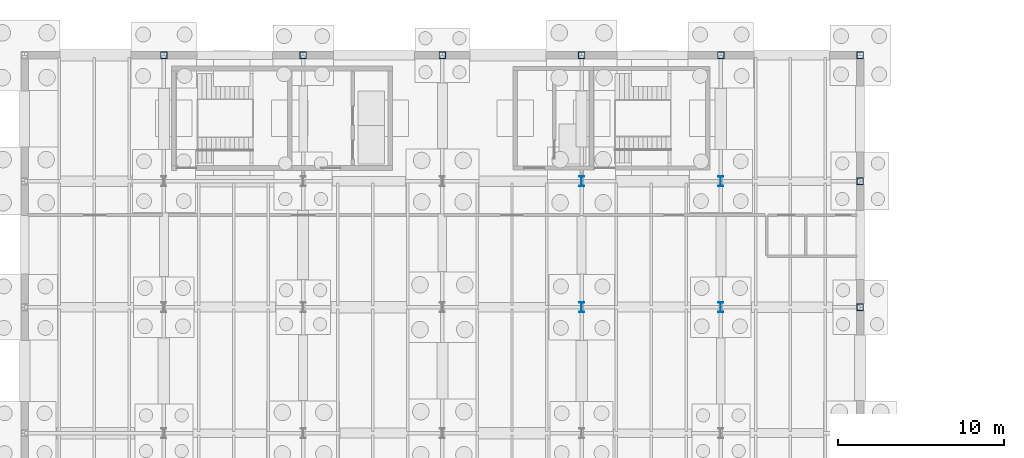
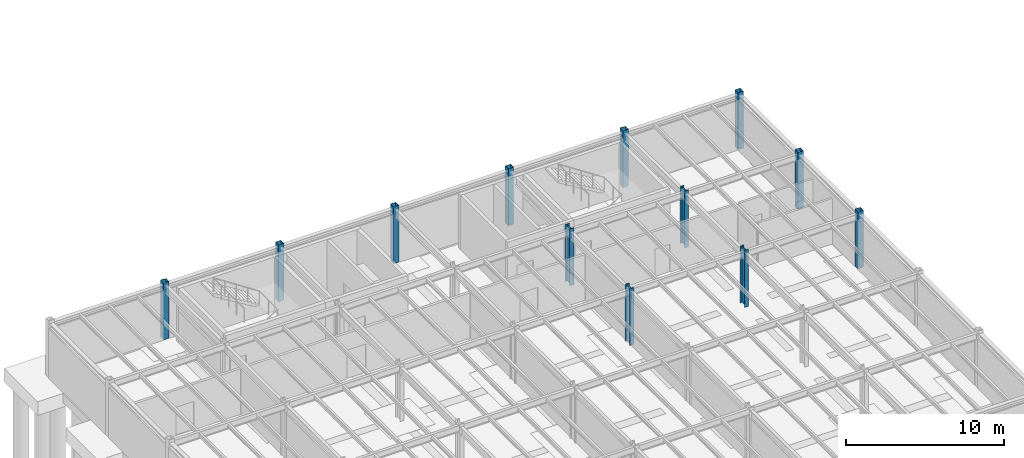
# One storey, part 16 of 33: 12 columns.
"""IFC4 building model written with IfcOpenShell, lengths in metres."""

from ifc_helpers import new_model, si_unit, direction, frame, origin, origin_2d, place, context, subcontext, project, spatial, hollow_rectangle, i_section, extrude, material, material_profile, profile_set, type_object, element, save


model = new_model("IFC4")

# Units and contexts
model_context = context("Model", 3, precision=1e-05, world=origin(), true_north=direction((0.0, 1.0)))
body_context = subcontext(model_context, "Body", "Model", "MODEL_VIEW")
ifc_project = project(units=[si_unit("LENGTHUNIT", "METRE"), si_unit("AREAUNIT", "SQUARE_METRE"), si_unit("VOLUMEUNIT", "CUBIC_METRE"), si_unit("PLANEANGLEUNIT", "RADIAN"), si_unit("MASSUNIT", "GRAM", prefix="KILO")], contexts=[model_context])

# Site, building, storey
site_placement = place(None, origin())
site = spatial("IfcSite", under=ifc_project, at=site_placement, CompositionType="ELEMENT")
building_placement = place(site_placement, origin())
building = spatial("IfcBuilding", under=site, at=building_placement, Name="Montecoro Central Library", CompositionType="ELEMENT")
storey_placement = place(building_placement, frame((0.0, 0.0, -4.419921875)))
storey = spatial("IfcBuildingStorey", under=building, at=storey_placement, Name="B1", CompositionType="ELEMENT", Elevation=-4.419921875)

# Columns
ifc_material = material(Name="Steel S355J2", Category="steel")
ifc_material_profile_1 = material_profile(ifc_material, i_section(OverallWidth=0.300048828125, OverallDepth=0.60009765625, WebThickness=0.015380859375, FlangeThickness=0.030029296875, at=origin_2d()), Name="HEB 600")
ifc_profile_set_1 = profile_set([ifc_material_profile_1], Name="Steel S355J2")
column_type_1 = type_object("IfcColumnType", Name="COL-HEB600", PredefinedType="COLUMN", material=ifc_profile_set_1)
for number, where, z_axis, x_axis, name in (
    (1, (100.0, 103.800048828125, 0.0), (0.0, 0.0, 1.0), (1.0, 0.0, 0.0), "V2-B1-COL-13-P"),
    (2, (100.0, 111.39990234375, 0.0), (0.0, 0.0, 1.0), (1.0, 0.0, 0.0), "V2-B1-COL-13-Q"),
    (3, (108.39990234375, 103.800048828125, 0.0), (0.0, 0.0, 1.0), (1.0, 0.0, 0.0), "V2-B1-COL-14-P"),
    (4, (108.39990234375, 111.39990234375, 0.0), (0.0, 0.0, 1.0), (1.0, 0.0, 0.0), "V2-B1-COL-14-Q"),
):
    element("IfcColumn", number, at=place(storey_placement, frame(where, z_axis=z_axis, x_axis=x_axis)), inside=storey, type_object=column_type_1, Name=name, PredefinedType="COLUMN", context=body_context, shape_type="SweptSolid", body=[
        extrude(i_section(OverallWidth=0.300048828125, OverallDepth=0.60009765625, WebThickness=0.015380859375, FlangeThickness=0.030029296875, at=origin_2d()), origin(), (0.0, 0.0, 1.0), 4.39501953125),
    ])
ifc_material_profile_2 = material_profile(ifc_material, hollow_rectangle(XDim=0.39990234375, YDim=0.39990234375, WallThickness=0.01611328125, at=origin_2d()), Name="SHS 400x400x16.0")
ifc_profile_set_2 = profile_set([ifc_material_profile_2], Name="Steel S355J2")
column_type_2 = type_object("IfcColumnType", Name="COL-SHS400", PredefinedType="COLUMN", material=ifc_profile_set_2)
for number, where, z_axis, x_axis, name in (
    (5, (74.800048828125, 119.0, 0.0), (0.0, 0.0, 1.0), (1.0, 0.0, 0.0), "V2-B1-COL-10-R"),
    (6, (83.199951171875, 119.0, 0.0), (0.0, 0.0, 1.0), (1.0, 0.0, 0.0), "V2-B1-COL-11-R"),
    (7, (91.60009765625, 119.0, 0.0), (0.0, 0.0, 1.0), (1.0, 0.0, 0.0), "V2-B1-COL-12-R"),
    (8, (100.0, 119.0, 0.0), (0.0, 0.0, 1.0), (1.0, 0.0, 0.0), "V2-B1-COL-13-R"),
    (9, (108.39990234375, 119.0, 0.0), (0.0, 0.0, 1.0), (1.0, 0.0, 0.0), "V2-B1-COL-14-R"),
    (10, (116.800048828125, 103.800048828125, 0.0), (0.0, 0.0, 1.0), (1.0, 0.0, 0.0), "V2-B1-COL-15-P"),
    (11, (116.800048828125, 111.39990234375, 0.0), (0.0, 0.0, 1.0), (1.0, 0.0, 0.0), "V2-B1-COL-15-Q"),
    (12, (116.800048828125, 119.0, 0.0), (0.0, 0.0, 1.0), (1.0, 0.0, 0.0), "V2-B1-COL-15-R"),
):
    element("IfcColumn", number, at=place(storey_placement, frame(where, z_axis=z_axis, x_axis=x_axis)), inside=storey, type_object=column_type_2, Name=name, PredefinedType="COLUMN", context=body_context, shape_type="SweptSolid", body=[
        extrude(hollow_rectangle(XDim=0.39990234375, YDim=0.39990234375, WallThickness=0.01611328125, at=origin_2d()), origin(), (0.0, 0.0, 1.0), 4.39501953125),
    ])

save(model, "model.ifc")
